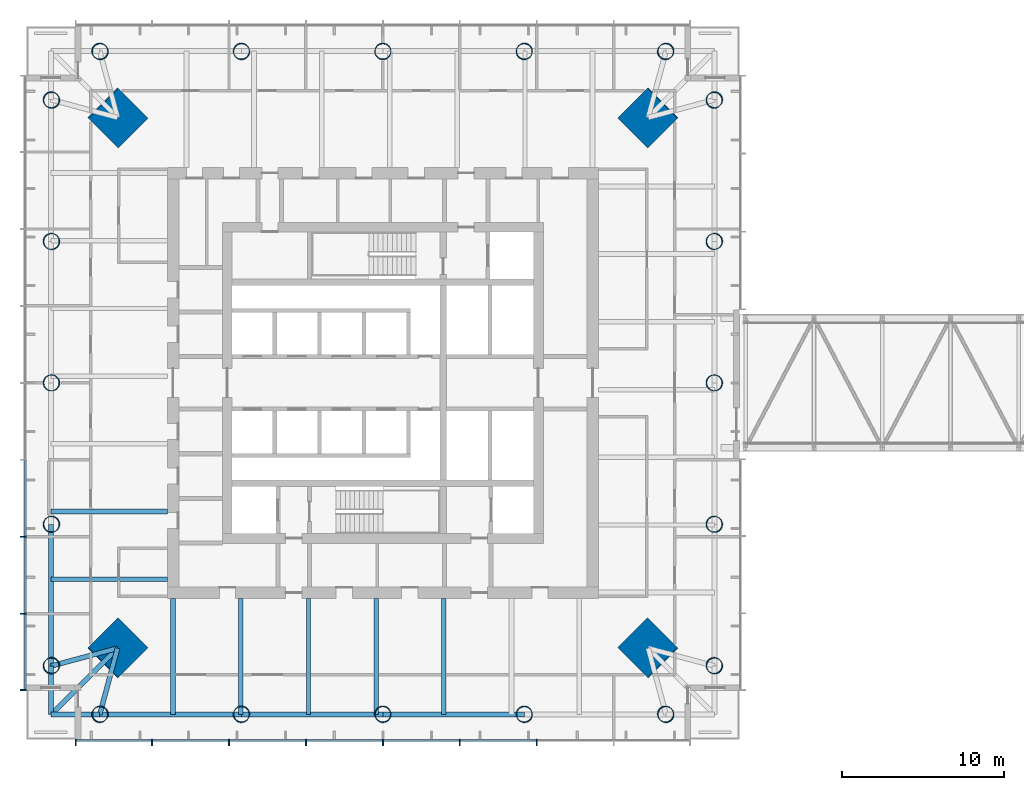
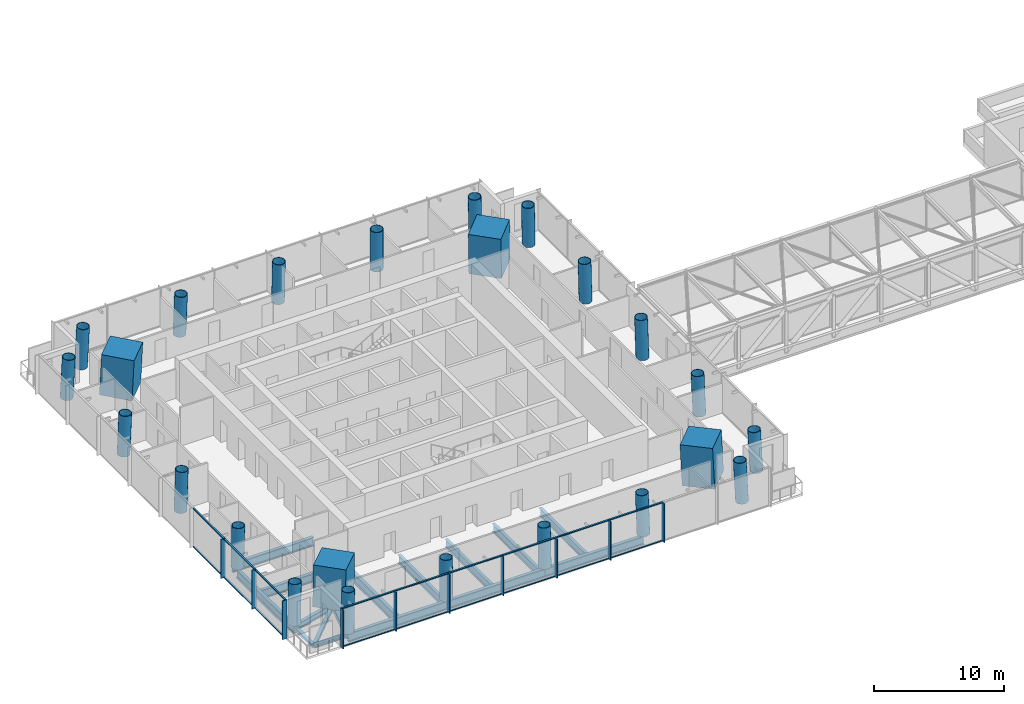
# One storey, part 1 of 19: 28 members, 24 columns, 16 beams, 2 elements without a shape of their own.
"""IFC4 building model written with IfcOpenShell, lengths in metres."""

from ifc_helpers import new_model, si_unit, direction, frame, origin, origin_2d, place, context, subcontext, project, spatial, rectangle, hollow_circle, i_section, extrude, material, material_profile, profile_set, type_object, element, aggregate, save


model = new_model("IFC4")

# Units and contexts
model_context = context("Model", 3, precision=1e-05, world=origin(), true_north=direction((0.0, 1.0)))
body_context = subcontext(model_context, "Body", "Model", "MODEL_VIEW")
ifc_project = project(units=[si_unit("LENGTHUNIT", "METRE"), si_unit("AREAUNIT", "SQUARE_METRE"), si_unit("VOLUMEUNIT", "CUBIC_METRE"), si_unit("PLANEANGLEUNIT", "RADIAN"), si_unit("MASSUNIT", "GRAM", prefix="KILO")], contexts=[model_context])

# Site, building, storey
site_placement = place(None, origin())
site = spatial("IfcSite", under=ifc_project, at=site_placement, CompositionType="ELEMENT")
building_placement = place(site_placement, origin())
building = spatial("IfcBuilding", under=site, at=building_placement, Name="Ostroluk Exchange", CompositionType="ELEMENT")
storey_placement = place(building_placement, frame((0.0, 0.0, 131.199951171875)))
storey = spatial("IfcBuildingStorey", under=building, at=storey_placement, Name="L33", CompositionType="ELEMENT", Elevation=131.199951171875)

# Columns
ifc_material_1 = material(Name="Concrete C50/60", Category="concrete")
ifc_material_profile_1 = material_profile(ifc_material_1, rectangle(XDim=2.60009765625, YDim=2.60009765625, at=origin_2d()), Name="RC 2600x2600")
ifc_profile_set_1 = profile_set([ifc_material_profile_1], Name="Concrete C50/60")
column_type_1 = type_object("IfcColumnType", Name="Mega column RC 2600x2600", PredefinedType="COLUMN", material=ifc_profile_set_1)
for number, where, z_axis, x_axis, name in (
    (1, (61.378662109375, 62.378662109375, 0.0), (-0.031962158256, -0.031962158256, 0.998977898093), (0.707106781187, -0.707106781187, 0.0), "T1 mega column NE"),
    (2, (28.621337890625, 62.378662109375, 0.0), (0.031962158256, -0.031962158256, 0.998977898093), (0.707106781187, 0.707106781187, 0.0), "T1 mega column NW"),
    (3, (28.621337890625, 29.621337890625, 0.0), (0.031962158256, 0.031962158256, 0.998977898093), (-0.707106781187, 0.707106781187, 0.0), "T1 mega column SW"),
    (4, (61.378662109375, 29.621337890625, 0.0), (-0.031962158256, 0.031962158256, 0.998977898093), (-0.707106781187, -0.707106781187, 0.0), "T1 mega column SE"),
):
    element("IfcColumn", number, at=place(storey_placement, frame(where, z_axis=z_axis, x_axis=x_axis)), inside=storey, type_object=column_type_1, Name=name, PredefinedType="COLUMN", context=body_context, shape_type="SweptSolid", body=[
        extrude(rectangle(XDim=2.60009765625, YDim=2.60009765625, at=origin_2d()), origin(), (0.0, 0.0, 1.0), 3.803955078125),
    ])
ifc_material_2 = material(Name="Steel S460", Category="steel")
ifc_material_profile_2 = material_profile(ifc_material_2, hollow_circle(Radius=0.508056640625, WallThickness=0.0400390625, at=origin_2d()), Name="CHS 1016x40")
ifc_profile_set_2 = profile_set([ifc_material_profile_2], Name="Steel S460")
column_type_2 = type_object("IfcColumnType", Name="Perimeter column CHS 1016x40", PredefinedType="COLUMN", material=ifc_profile_set_2)
for number, where, z_axis, x_axis, name in (
    (5, (65.478515625, 28.521484375, 0.0), (-0.031898107953, 0.031898107953, 0.998981992539), (-0.707106781187, -0.707106781187, 0.0), "T1 east face column E0"),
    (6, (65.478515625, 63.478515625, 0.0), (-0.031898107953, -0.031898107953, 0.998981992539), (0.707106781187, -0.707106781187, 0.0), "T1 east face column E1"),
):
    element("IfcColumn", number, at=place(storey_placement, frame(where, z_axis=z_axis, x_axis=x_axis)), inside=storey, type_object=column_type_2, Name=name, PredefinedType="COLUMN", context=body_context, shape_type="SweptSolid", body=[
        extrude(hollow_circle(Radius=0.508056640625, WallThickness=0.0400390625, at=origin_2d()), origin(), (0.0, 0.0, 1.0), 3.803955078125),
    ])
column_1_placement = place(storey_placement, frame((65.478515625, 37.2607421875, 0.0), z_axis=(-0.031910269556, 0.015987237665, 0.999362868496), x_axis=(-0.447933021895, -0.894067115991, 0.0)))
element("IfcColumn", 7, at=column_1_placement, inside=storey, type_object=column_type_2, Name="T1 east face column I1", PredefinedType="COLUMN", context=body_context, shape_type="SweptSolid", body=[
    extrude(hollow_circle(Radius=0.508056640625, WallThickness=0.0400390625, at=origin_2d()), origin(), (0.0, 0.0, 1.0), 3.802490234375),
])
column_2_placement = place(storey_placement, frame((65.478515625, 46.0, 0.0), z_axis=(-0.031914348339, 0.0, 0.999490607445), x_axis=(0.0, -1.0, 0.0)))
element("IfcColumn", 8, at=column_2_placement, inside=storey, type_object=column_type_2, Name="T1 east face column I2", PredefinedType="COLUMN", context=body_context, shape_type="SweptSolid", body=[
    extrude(hollow_circle(Radius=0.508056640625, WallThickness=0.0400390625, at=origin_2d()), origin(), (0.0, 0.0, 1.0), 3.802001953125),
])
column_3_placement = place(storey_placement, frame((65.478515625, 54.7392578125, 0.0), z_axis=(-0.031910269556, -0.015987237665, 0.999362868496), x_axis=(0.447933021895, -0.894067115991, 0.0)))
element("IfcColumn", 9, at=column_3_placement, inside=storey, type_object=column_type_2, Name="T1 east face column I3", PredefinedType="COLUMN", context=body_context, shape_type="SweptSolid", body=[
    extrude(hollow_circle(Radius=0.508056640625, WallThickness=0.0400390625, at=origin_2d()), origin(), (0.0, 0.0, 1.0), 3.802490234375),
])
for number, where, z_axis, x_axis, name in (
    (10, (62.478515625, 66.478515625, 0.0), (-0.031898107953, -0.031898107953, 0.998981992539), (0.707106781187, -0.707106781187, 0.0), "T1 north face column E0"),
    (11, (27.521484375, 66.478515625, 0.0), (0.031898107953, -0.031898107953, 0.998981992539), (0.707106781187, 0.707106781187, 0.0), "T1 north face column E1"),
):
    element("IfcColumn", number, at=place(storey_placement, frame(where, z_axis=z_axis, x_axis=x_axis)), inside=storey, type_object=column_type_2, Name=name, PredefinedType="COLUMN", context=body_context, shape_type="SweptSolid", body=[
        extrude(hollow_circle(Radius=0.508056640625, WallThickness=0.0400390625, at=origin_2d()), origin(), (0.0, 0.0, 1.0), 3.803955078125),
    ])
column_4_placement = place(storey_placement, frame((53.7392578125, 66.478515625, 0.0), z_axis=(-0.015987237665, -0.031910269556, 0.999362868496), x_axis=(0.894067115991, -0.447933021895, 0.0)))
element("IfcColumn", 12, at=column_4_placement, inside=storey, type_object=column_type_2, Name="T1 north face column I1", PredefinedType="COLUMN", context=body_context, shape_type="SweptSolid", body=[
    extrude(hollow_circle(Radius=0.508056640625, WallThickness=0.0400390625, at=origin_2d()), origin(), (0.0, 0.0, 1.0), 3.802490234375),
])
column_5_placement = place(storey_placement, frame((45.0, 66.478515625, 0.0), z_axis=(0.0, -0.031914348339, 0.999490607445), x_axis=(1.0, 0.0, 0.0)))
element("IfcColumn", 13, at=column_5_placement, inside=storey, type_object=column_type_2, Name="T1 north face column I2", PredefinedType="COLUMN", context=body_context, shape_type="SweptSolid", body=[
    extrude(hollow_circle(Radius=0.508056640625, WallThickness=0.0400390625, at=origin_2d()), origin(), (0.0, 0.0, 1.0), 3.802001953125),
])
column_6_placement = place(storey_placement, frame((36.2607421875, 66.478515625, 0.0), z_axis=(0.015987237665, -0.031910269556, 0.999362868496), x_axis=(0.894067115991, 0.447933021895, 0.0)))
element("IfcColumn", 14, at=column_6_placement, inside=storey, type_object=column_type_2, Name="T1 north face column I3", PredefinedType="COLUMN", context=body_context, shape_type="SweptSolid", body=[
    extrude(hollow_circle(Radius=0.508056640625, WallThickness=0.0400390625, at=origin_2d()), origin(), (0.0, 0.0, 1.0), 3.802490234375),
])
for number, where, z_axis, x_axis, name in (
    (15, (24.521484375, 63.478515625, 0.0), (0.031898107953, -0.031898107953, 0.998981992539), (0.707106781187, 0.707106781187, 0.0), "T1 west face column E0"),
    (16, (24.521484375, 28.521484375, 0.0), (0.031898107953, 0.031898107953, 0.998981992539), (-0.707106781187, 0.707106781187, 0.0), "T1 west face column E1"),
):
    element("IfcColumn", number, at=place(storey_placement, frame(where, z_axis=z_axis, x_axis=x_axis)), inside=storey, type_object=column_type_2, Name=name, PredefinedType="COLUMN", context=body_context, shape_type="SweptSolid", body=[
        extrude(hollow_circle(Radius=0.508056640625, WallThickness=0.0400390625, at=origin_2d()), origin(), (0.0, 0.0, 1.0), 3.803955078125),
    ])
column_7_placement = place(storey_placement, frame((24.521484375, 54.7392578125, 0.0), z_axis=(0.031910269556, -0.015987237665, 0.999362868496), x_axis=(0.447933021895, 0.894067115991, 0.0)))
element("IfcColumn", 17, at=column_7_placement, inside=storey, type_object=column_type_2, Name="T1 west face column I1", PredefinedType="COLUMN", context=body_context, shape_type="SweptSolid", body=[
    extrude(hollow_circle(Radius=0.508056640625, WallThickness=0.0400390625, at=origin_2d()), origin(), (0.0, 0.0, 1.0), 3.802490234375),
])
column_8_placement = place(storey_placement, frame((24.521484375, 46.0, 0.0), z_axis=(0.031914348339, 0.0, 0.999490607445), x_axis=(0.0, 1.0, 0.0)))
element("IfcColumn", 18, at=column_8_placement, inside=storey, type_object=column_type_2, Name="T1 west face column I2", PredefinedType="COLUMN", context=body_context, shape_type="SweptSolid", body=[
    extrude(hollow_circle(Radius=0.508056640625, WallThickness=0.0400390625, at=origin_2d()), origin(), (0.0, 0.0, 1.0), 3.802001953125),
])
column_9_placement = place(storey_placement, frame((24.521484375, 37.2607421875, 0.0), z_axis=(0.031910269556, 0.015987237665, 0.999362868496), x_axis=(-0.447933021895, 0.894067115991, 0.0)))
element("IfcColumn", 19, at=column_9_placement, inside=storey, type_object=column_type_2, Name="T1 west face column I3", PredefinedType="COLUMN", context=body_context, shape_type="SweptSolid", body=[
    extrude(hollow_circle(Radius=0.508056640625, WallThickness=0.0400390625, at=origin_2d()), origin(), (0.0, 0.0, 1.0), 3.802490234375),
])
for number, where, z_axis, x_axis, name in (
    (20, (27.521484375, 25.521484375, 0.0), (0.031898107953, 0.031898107953, 0.998981992539), (-0.707106781187, 0.707106781187, 0.0), "T1 south face column E0"),
    (21, (62.478515625, 25.521484375, 0.0), (-0.031898107953, 0.031898107953, 0.998981992539), (-0.707106781187, -0.707106781187, 0.0), "T1 south face column E1"),
):
    element("IfcColumn", number, at=place(storey_placement, frame(where, z_axis=z_axis, x_axis=x_axis)), inside=storey, type_object=column_type_2, Name=name, PredefinedType="COLUMN", context=body_context, shape_type="SweptSolid", body=[
        extrude(hollow_circle(Radius=0.508056640625, WallThickness=0.0400390625, at=origin_2d()), origin(), (0.0, 0.0, 1.0), 3.803955078125),
    ])
column_10_placement = place(storey_placement, frame((36.2607421875, 25.521484375, 0.0), z_axis=(0.015987237665, 0.031910269556, 0.999362868496), x_axis=(-0.894067115991, 0.447933021895, 0.0)))
element("IfcColumn", 22, at=column_10_placement, inside=storey, type_object=column_type_2, Name="T1 south face column I1", PredefinedType="COLUMN", context=body_context, shape_type="SweptSolid", body=[
    extrude(hollow_circle(Radius=0.508056640625, WallThickness=0.0400390625, at=origin_2d()), origin(), (0.0, 0.0, 1.0), 3.802490234375),
])
column_11_placement = place(storey_placement, frame((45.0, 25.521484375, 0.0), z_axis=(0.0, 0.031914348339, 0.999490607445), x_axis=(-1.0, 0.0, 0.0)))
element("IfcColumn", 23, at=column_11_placement, inside=storey, type_object=column_type_2, Name="T1 south face column I2", PredefinedType="COLUMN", context=body_context, shape_type="SweptSolid", body=[
    extrude(hollow_circle(Radius=0.508056640625, WallThickness=0.0400390625, at=origin_2d()), origin(), (0.0, 0.0, 1.0), 3.802001953125),
])
column_12_placement = place(storey_placement, frame((53.7392578125, 25.521484375, 0.0), z_axis=(-0.015987237665, 0.031910269556, 0.999362868496), x_axis=(-0.894067115991, -0.447933021895, 0.0)))
element("IfcColumn", 24, at=column_12_placement, inside=storey, type_object=column_type_2, Name="T1 south face column I3", PredefinedType="COLUMN", context=body_context, shape_type="SweptSolid", body=[
    extrude(hollow_circle(Radius=0.508056640625, WallThickness=0.0400390625, at=origin_2d()), origin(), (0.0, 0.0, 1.0), 3.802490234375),
])

# Beams
ifc_material_3 = material(Name="Steel S355", Category="steel")
ifc_material_profile_3 = material_profile(ifc_material_3, i_section(OverallWidth=0.300048828125, OverallDepth=0.300048828125, WebThickness=0.010986328125, FlangeThickness=0.01904296875, FilletRadius=0.027099609375, at=origin_2d()), Name="HEB 300")
ifc_profile_set_3 = profile_set([ifc_material_profile_3], Name="Steel S355")
beam_type_1 = type_object("IfcBeamType", Name="Balcony beam HEB 300", PredefinedType="BEAM", material=ifc_profile_set_3)
for number, where, z_axis, x_axis, name in (
    (25, (24.521484375, 28.521484375, -0.329833984375), (0.0, -1.0, 0.0), (1.0, 0.0, 0.0), "T1 west balcony beam a"),
    (26, (27.521484375, 25.521484375, -0.329833984375), (-1.0, 0.0, 0.0), (0.0, -1.0, 0.0), "T1 west balcony beam b"),
):
    element("IfcBeam", number, at=place(storey_placement, frame(where, z_axis=z_axis, x_axis=x_axis)), inside=storey, type_object=beam_type_1, Name=name, PredefinedType="BEAM", context=body_context, shape_type="SweptSolid", body=[
        extrude(i_section(OverallWidth=0.300048828125, OverallDepth=0.300048828125, WebThickness=0.010986328125, FlangeThickness=0.01904296875, FilletRadius=0.027099609375, at=origin_2d()), origin(), (0.0, 0.0, 1.0), 3.0),
    ])
beam_1_placement = place(storey_placement, frame((28.621337890625, 29.621337890625, -0.329833984375), z_axis=(-0.707106781187, -0.707106781187, 0.0), x_axis=(0.707106781187, -0.707106781187, 0.0)))
element("IfcBeam", 27, at=beam_1_placement, inside=storey, type_object=beam_type_1, Name="T1 west balcony beam c", PredefinedType="BEAM", context=body_context, shape_type="SweptSolid", body=[
    extrude(i_section(OverallWidth=0.300048828125, OverallDepth=0.300048828125, WebThickness=0.010986328125, FlangeThickness=0.01904296875, FilletRadius=0.027099609375, at=origin_2d()), origin(), (0.0, 0.0, 1.0), 5.798095703125),
])
ifc_material_4 = material(Name="Steel S355", Category="steel")
ifc_material_profile_4 = material_profile(ifc_material_4, i_section(OverallWidth=0.300048828125, OverallDepth=0.550048828125, WebThickness=0.014892578125, FlangeThickness=0.029052734375, FilletRadius=0.027099609375, at=origin_2d()), Name="HEB 550")
ifc_profile_set_4 = profile_set([ifc_material_profile_4], Name="Steel S355")
beam_type_2 = type_object("IfcBeamType", Name="Corner edge beam HEB 550", PredefinedType="SPANDREL", material=ifc_profile_set_4)
for number, where, z_axis, x_axis, name in (
    (28, (28.621337890625, 29.621337890625, -0.454833984375), (-0.965849156574, -0.259105011038, 0.0), (0.259105011038, -0.965849156574, 0.0), "T1 west corner edge beam a"),
    (29, (28.621337890625, 29.621337890625, -0.454833984375), (-0.259105011038, -0.965849156574, 0.0), (0.965849156574, -0.259105011038, 0.0), "T1 west corner edge beam b"),
):
    element("IfcBeam", number, at=place(storey_placement, frame(where, z_axis=z_axis, x_axis=x_axis)), inside=storey, type_object=beam_type_2, Name=name, PredefinedType="SPANDREL", context=body_context, shape_type="SweptSolid", body=[
        extrude(i_section(OverallWidth=0.300048828125, OverallDepth=0.550048828125, WebThickness=0.014892578125, FlangeThickness=0.029052734375, FilletRadius=0.027099609375, at=origin_2d()), origin(), (0.0, 0.0, 1.0), 4.244873046875),
    ])
ifc_material_5 = material(Name="Steel S355", Category="steel")
ifc_material_profile_5 = material_profile(ifc_material_5, i_section(OverallWidth=0.302978515625, OverallDepth=0.81396484375, WebThickness=0.02099609375, FlangeThickness=0.0400390625, FilletRadius=0.030029296875, at=origin_2d()), Name="HEM 800")
ifc_profile_set_5 = profile_set([ifc_material_profile_5], Name="Steel S355")
beam_type_3 = type_object("IfcBeamType", Name="Floor beam HEM 800", PredefinedType="BEAM", material=ifc_profile_set_5)
for number, where, z_axis, x_axis, name in (
    (30, (31.699951171875, 38.05712890625, -0.5869140625), (-1.0, 0.0, 0.0), (0.0, -1.0, 0.0), "T1 west floor beam 5"),
    (31, (31.699951171875, 33.878662109375, -0.5869140625), (-1.0, 0.0, 0.0), (0.0, -1.0, 0.0), "T1 west floor beam 6"),
):
    element("IfcBeam", number, at=place(storey_placement, frame(where, z_axis=z_axis, x_axis=x_axis)), inside=storey, type_object=beam_type_3, Name=name, PredefinedType="BEAM", context=body_context, shape_type="SweptSolid", body=[
        extrude(i_section(OverallWidth=0.302978515625, OverallDepth=0.81396484375, WebThickness=0.02099609375, FlangeThickness=0.0400390625, FilletRadius=0.030029296875, at=origin_2d()), origin(), (0.0, 0.0, 1.0), 7.178466796875),
    ])
ifc_material_6 = material(Name="Steel S355", Category="steel")
ifc_material_profile_6 = material_profile(ifc_material_6, i_section(OverallWidth=0.26708984375, OverallDepth=0.761962890625, WebThickness=0.014404296875, FlangeThickness=0.021484375, FilletRadius=0.01708984375, at=origin_2d()), Name="IPE 750x173")
ifc_profile_set_6 = profile_set([ifc_material_profile_6], Name="Steel S355")
beam_type_4 = type_object("IfcBeamType", Name="Floor beam IPE 750x173", PredefinedType="BEAM", material=ifc_profile_set_6)
for number, where, z_axis, x_axis, name in (
    (32, (36.228515625, 32.699951171875, -0.56103515625), (0.0, -1.0, 0.0), (1.0, 0.0, 0.0), "T1 south floor beam 1"),
    (33, (40.4072265625, 32.699951171875, -0.56103515625), (0.0, -1.0, 0.0), (1.0, 0.0, 0.0), "T1 south floor beam 2"),
    (34, (44.585693359375, 32.699951171875, -0.56103515625), (0.0, -1.0, 0.0), (1.0, 0.0, 0.0), "T1 south floor beam 3"),
    (35, (48.764404296875, 32.699951171875, -0.56103515625), (0.0, -1.0, 0.0), (1.0, 0.0, 0.0), "T1 south floor beam 4"),
):
    element("IfcBeam", number, at=place(storey_placement, frame(where, z_axis=z_axis, x_axis=x_axis)), inside=storey, type_object=beam_type_4, Name=name, PredefinedType="BEAM", context=body_context, shape_type="SweptSolid", body=[
        extrude(i_section(OverallWidth=0.26708984375, OverallDepth=0.761962890625, WebThickness=0.014404296875, FlangeThickness=0.021484375, FilletRadius=0.01708984375, at=origin_2d()), origin(), (0.0, 0.0, 1.0), 7.178466796875),
    ])
ifc_material_7 = material(Name="Steel S355", Category="steel")
ifc_material_profile_7 = material_profile(ifc_material_7, i_section(OverallWidth=0.300048828125, OverallDepth=0.89990234375, WebThickness=0.0185546875, FlangeThickness=0.034912109375, FilletRadius=0.030029296875, at=origin_2d()), Name="HEB 900")
ifc_profile_set_7 = profile_set([ifc_material_profile_7], Name="Steel S355")
beam_type_5 = type_object("IfcBeamType", Name="Girder HEB 900", PredefinedType="BEAM", material=ifc_profile_set_7)
beam_2_placement = place(storey_placement, frame((32.050048828125, 32.699951171875, -0.6298828125), z_axis=(0.0, -1.0, 0.0), x_axis=(1.0, 0.0, 0.0)))
element("IfcBeam", 36, at=beam_2_placement, inside=storey, type_object=beam_type_5, Name="T1 west girder", PredefinedType="BEAM", context=body_context, shape_type="SweptSolid", body=[
    extrude(i_section(OverallWidth=0.300048828125, OverallDepth=0.89990234375, WebThickness=0.0185546875, FlangeThickness=0.034912109375, FilletRadius=0.030029296875, at=origin_2d()), origin(), (0.0, 0.0, 1.0), 7.178466796875),
])
ifc_material_8 = material(Name="Steel S355", Category="steel")
ifc_material_profile_8 = material_profile(ifc_material_8, i_section(OverallWidth=0.300048828125, OverallDepth=0.800048828125, WebThickness=0.017578125, FlangeThickness=0.032958984375, FilletRadius=0.030029296875, at=origin_2d()), Name="HEB 800")
ifc_profile_set_8 = profile_set([ifc_material_profile_8], Name="Steel S355")
beam_type_6 = type_object("IfcBeamType", Name="Moment-connected edge beam HEB 800", PredefinedType="SPANDREL", material=ifc_profile_set_8)
for number, where, z_axis, x_axis, name in (
    (37, (24.521484375, 37.2607421875, -0.579833984375), (0.0, -1.0, 0.0), (1.0, 0.0, 0.0), "T1 west edge beam 4"),
    (38, (27.521484375, 25.521484375, -0.579833984375), (1.0, 0.0, 0.0), (0.0, 1.0, 0.0), "T1 south edge beam 1"),
    (39, (36.2607421875, 25.521484375, -0.579833984375), (1.0, 0.0, 0.0), (0.0, 1.0, 0.0), "T1 south edge beam 2"),
    (40, (45.0, 25.521484375, -0.579833984375), (1.0, 0.0, 0.0), (0.0, 1.0, 0.0), "T1 south edge beam 3"),
):
    element("IfcBeam", number, at=place(storey_placement, frame(where, z_axis=z_axis, x_axis=x_axis)), inside=storey, type_object=beam_type_6, Name=name, PredefinedType="SPANDREL", context=body_context, shape_type="SweptSolid", body=[
        extrude(i_section(OverallWidth=0.300048828125, OverallDepth=0.800048828125, WebThickness=0.017578125, FlangeThickness=0.032958984375, FilletRadius=0.030029296875, at=origin_2d()), origin(), (0.0, 0.0, 1.0), 8.7392578125),
    ])

# Curtain wall, members
ifc_material_9 = material(Name="Laminated clear glass", Category="glass")
curtain_wall_type = type_object("IfcCurtainWallType", Name="Office tower facade", PredefinedType="USERDEFINED", material=ifc_material_9)
curtain_wall_1_placement = place(storey_placement, origin())
curtain_wall_1 = element("IfcCurtainWall", 41, at=curtain_wall_1_placement, inside=storey, type_object=curtain_wall_type, Name="Office tower south facade L33", ObjectType="UNITISED CURTAIN WALL", PredefinedType="USERDEFINED")
ifc_material_10 = material(Name="Aluminium mullion", Category="aluminium")
ifc_material_profile_9 = material_profile(ifc_material_10, rectangle(XDim=0.14990234375, YDim=0.080078125, at=origin_2d()), Name="Sill transom 80 x 150")
ifc_profile_set_9 = profile_set([ifc_material_profile_9], Name="Aluminium mullion")
member_type_1 = type_object("IfcMemberType", Name="Sill transom 80 x 150", PredefinedType="USERDEFINED", material=ifc_profile_set_9)
member_1_placement = place(storey_placement, frame((26.080078125, 23.925048828125, 0.0400390625), z_axis=(1.0, 0.0, 0.0), x_axis=(0.0, 1.0, 0.0)))
member_1 = element("IfcMember", 42, at=member_1_placement, type_object=member_type_1, Name="CW-O1 transom 1.1", ObjectType="TRANSOM", PredefinedType="USERDEFINED", context=body_context, shape_type="SweptSolid", body=[
    extrude(rectangle(XDim=0.14990234375, YDim=0.080078125, at=origin_2d()), origin(), (0.0, 0.0, 1.0), 4.6298828125),
])
member_2_placement = place(storey_placement, frame((26.080078125, 23.925048828125, 3.610107421875), z_axis=(1.0, 0.0, 0.0), x_axis=(0.0, 1.0, 0.0)))
member_2 = element("IfcMember", 43, at=member_2_placement, type_object=member_type_1, Name="CW-O1 transom 1.2", ObjectType="TRANSOM", PredefinedType="USERDEFINED", context=body_context, shape_type="SweptSolid", body=[
    extrude(rectangle(XDim=0.14990234375, YDim=0.080078125, at=origin_2d()), origin(), (0.0, 0.0, 1.0), 4.6298828125),
])
member_3_placement = place(storey_placement, frame((30.7900390625, 23.925048828125, 0.0400390625), z_axis=(1.0, 0.0, 0.0), x_axis=(0.0, 1.0, 0.0)))
member_3 = element("IfcMember", 44, at=member_3_placement, type_object=member_type_1, Name="CW-O1 transom 2.1", ObjectType="TRANSOM", PredefinedType="USERDEFINED", context=body_context, shape_type="SweptSolid", body=[
    extrude(rectangle(XDim=0.14990234375, YDim=0.080078125, at=origin_2d()), origin(), (0.0, 0.0, 1.0), 4.669921875),
])
member_4_placement = place(storey_placement, frame((30.7900390625, 23.925048828125, 3.610107421875), z_axis=(1.0, 0.0, 0.0), x_axis=(0.0, 1.0, 0.0)))
member_4 = element("IfcMember", 45, at=member_4_placement, type_object=member_type_1, Name="CW-O1 transom 2.2", ObjectType="TRANSOM", PredefinedType="USERDEFINED", context=body_context, shape_type="SweptSolid", body=[
    extrude(rectangle(XDim=0.14990234375, YDim=0.080078125, at=origin_2d()), origin(), (0.0, 0.0, 1.0), 4.669921875),
])
member_5_placement = place(storey_placement, frame((35.5400390625, 23.925048828125, 0.0400390625), z_axis=(1.0, 0.0, 0.0), x_axis=(0.0, 1.0, 0.0)))
member_5 = element("IfcMember", 46, at=member_5_placement, type_object=member_type_1, Name="CW-O1 transom 3.1", ObjectType="TRANSOM", PredefinedType="USERDEFINED", context=body_context, shape_type="SweptSolid", body=[
    extrude(rectangle(XDim=0.14990234375, YDim=0.080078125, at=origin_2d()), origin(), (0.0, 0.0, 1.0), 4.669921875),
])
member_6_placement = place(storey_placement, frame((35.5400390625, 23.925048828125, 3.610107421875), z_axis=(1.0, 0.0, 0.0), x_axis=(0.0, 1.0, 0.0)))
member_6 = element("IfcMember", 47, at=member_6_placement, type_object=member_type_1, Name="CW-O1 transom 3.2", ObjectType="TRANSOM", PredefinedType="USERDEFINED", context=body_context, shape_type="SweptSolid", body=[
    extrude(rectangle(XDim=0.14990234375, YDim=0.080078125, at=origin_2d()), origin(), (0.0, 0.0, 1.0), 4.669921875),
])
member_7_placement = place(storey_placement, frame((40.2900390625, 23.925048828125, 0.0400390625), z_axis=(1.0, 0.0, 0.0), x_axis=(0.0, 1.0, 0.0)))
member_7 = element("IfcMember", 48, at=member_7_placement, type_object=member_type_1, Name="CW-O1 transom 4.1", ObjectType="TRANSOM", PredefinedType="USERDEFINED", context=body_context, shape_type="SweptSolid", body=[
    extrude(rectangle(XDim=0.14990234375, YDim=0.080078125, at=origin_2d()), origin(), (0.0, 0.0, 1.0), 4.669921875),
])
member_8_placement = place(storey_placement, frame((40.2900390625, 23.925048828125, 3.610107421875), z_axis=(1.0, 0.0, 0.0), x_axis=(0.0, 1.0, 0.0)))
member_8 = element("IfcMember", 49, at=member_8_placement, type_object=member_type_1, Name="CW-O1 transom 4.2", ObjectType="TRANSOM", PredefinedType="USERDEFINED", context=body_context, shape_type="SweptSolid", body=[
    extrude(rectangle(XDim=0.14990234375, YDim=0.080078125, at=origin_2d()), origin(), (0.0, 0.0, 1.0), 4.669921875),
])
member_9_placement = place(storey_placement, frame((45.0400390625, 23.925048828125, 0.0400390625), z_axis=(1.0, 0.0, 0.0), x_axis=(0.0, 1.0, 0.0)))
member_9 = element("IfcMember", 50, at=member_9_placement, type_object=member_type_1, Name="CW-O1 transom 5.1", ObjectType="TRANSOM", PredefinedType="USERDEFINED", context=body_context, shape_type="SweptSolid", body=[
    extrude(rectangle(XDim=0.14990234375, YDim=0.080078125, at=origin_2d()), origin(), (0.0, 0.0, 1.0), 4.669921875),
])
member_10_placement = place(storey_placement, frame((45.0400390625, 23.925048828125, 3.610107421875), z_axis=(1.0, 0.0, 0.0), x_axis=(0.0, 1.0, 0.0)))
member_10 = element("IfcMember", 51, at=member_10_placement, type_object=member_type_1, Name="CW-O1 transom 5.2", ObjectType="TRANSOM", PredefinedType="USERDEFINED", context=body_context, shape_type="SweptSolid", body=[
    extrude(rectangle(XDim=0.14990234375, YDim=0.080078125, at=origin_2d()), origin(), (0.0, 0.0, 1.0), 4.669921875),
])
member_11_placement = place(storey_placement, frame((49.7900390625, 23.925048828125, 0.0400390625), z_axis=(1.0, 0.0, 0.0), x_axis=(0.0, 1.0, 0.0)))
member_11 = element("IfcMember", 52, at=member_11_placement, type_object=member_type_1, Name="CW-O1 transom 6.1", ObjectType="TRANSOM", PredefinedType="USERDEFINED", context=body_context, shape_type="SweptSolid", body=[
    extrude(rectangle(XDim=0.14990234375, YDim=0.080078125, at=origin_2d()), origin(), (0.0, 0.0, 1.0), 4.669921875),
])
member_12_placement = place(storey_placement, frame((49.7900390625, 23.925048828125, 3.610107421875), z_axis=(1.0, 0.0, 0.0), x_axis=(0.0, 1.0, 0.0)))
member_12 = element("IfcMember", 53, at=member_12_placement, type_object=member_type_1, Name="CW-O1 transom 6.2", ObjectType="TRANSOM", PredefinedType="USERDEFINED", context=body_context, shape_type="SweptSolid", body=[
    extrude(rectangle(XDim=0.14990234375, YDim=0.080078125, at=origin_2d()), origin(), (0.0, 0.0, 1.0), 4.669921875),
])

curtain_wall_2_placement = place(storey_placement, origin())
curtain_wall_2 = element("IfcCurtainWall", 54, at=curtain_wall_2_placement, inside=storey, type_object=curtain_wall_type, Name="Office tower west facade L33", ObjectType="UNITISED CURTAIN WALL", PredefinedType="USERDEFINED")
member_13_placement = place(storey_placement, frame((22.925048828125, 41.2099609375, 0.0400390625), z_axis=(0.0, -1.0, 0.0), x_axis=(1.0, 0.0, 0.0)))
member_13 = element("IfcMember", 55, at=member_13_placement, type_object=member_type_1, Name="CW-O1 transom 6.1", ObjectType="TRANSOM", PredefinedType="USERDEFINED", context=body_context, shape_type="SweptSolid", body=[
    extrude(rectangle(XDim=0.14990234375, YDim=0.080078125, at=origin_2d()), origin(), (0.0, 0.0, 1.0), 4.669921875),
])
member_14_placement = place(storey_placement, frame((22.925048828125, 41.2099609375, 3.610107421875), z_axis=(0.0, -1.0, 0.0), x_axis=(1.0, 0.0, 0.0)))
member_14 = element("IfcMember", 56, at=member_14_placement, type_object=member_type_1, Name="CW-O1 transom 6.2", ObjectType="TRANSOM", PredefinedType="USERDEFINED", context=body_context, shape_type="SweptSolid", body=[
    extrude(rectangle(XDim=0.14990234375, YDim=0.080078125, at=origin_2d()), origin(), (0.0, 0.0, 1.0), 4.669921875),
])
member_15_placement = place(storey_placement, frame((22.925048828125, 36.4599609375, 0.0400390625), z_axis=(0.0, -1.0, 0.0), x_axis=(1.0, 0.0, 0.0)))
member_15 = element("IfcMember", 57, at=member_15_placement, type_object=member_type_1, Name="CW-O1 transom 7.1", ObjectType="TRANSOM", PredefinedType="USERDEFINED", context=body_context, shape_type="SweptSolid", body=[
    extrude(rectangle(XDim=0.14990234375, YDim=0.080078125, at=origin_2d()), origin(), (0.0, 0.0, 1.0), 4.669921875),
])
member_16_placement = place(storey_placement, frame((22.925048828125, 36.4599609375, 3.610107421875), z_axis=(0.0, -1.0, 0.0), x_axis=(1.0, 0.0, 0.0)))
member_16 = element("IfcMember", 58, at=member_16_placement, type_object=member_type_1, Name="CW-O1 transom 7.2", ObjectType="TRANSOM", PredefinedType="USERDEFINED", context=body_context, shape_type="SweptSolid", body=[
    extrude(rectangle(XDim=0.14990234375, YDim=0.080078125, at=origin_2d()), origin(), (0.0, 0.0, 1.0), 4.669921875),
])
member_17_placement = place(storey_placement, frame((22.925048828125, 31.7099609375, 0.0400390625), z_axis=(0.0, -1.0, 0.0), x_axis=(1.0, 0.0, 0.0)))
member_17 = element("IfcMember", 59, at=member_17_placement, type_object=member_type_1, Name="CW-O1 transom 8.1", ObjectType="TRANSOM", PredefinedType="USERDEFINED", context=body_context, shape_type="SweptSolid", body=[
    extrude(rectangle(XDim=0.14990234375, YDim=0.080078125, at=origin_2d()), origin(), (0.0, 0.0, 1.0), 4.6298828125),
])
member_18_placement = place(storey_placement, frame((22.925048828125, 31.7099609375, 3.610107421875), z_axis=(0.0, -1.0, 0.0), x_axis=(1.0, 0.0, 0.0)))
member_18 = element("IfcMember", 60, at=member_18_placement, type_object=member_type_1, Name="CW-O1 transom 8.2", ObjectType="TRANSOM", PredefinedType="USERDEFINED", context=body_context, shape_type="SweptSolid", body=[
    extrude(rectangle(XDim=0.14990234375, YDim=0.080078125, at=origin_2d()), origin(), (0.0, 0.0, 1.0), 4.6298828125),
])

# Member
ifc_material_11 = material(Name="Aluminium mullion with limestone facing", Category="masonry")
ifc_material_profile_10 = material_profile(ifc_material_11, rectangle(XDim=0.39990234375, YDim=0.080078125, at=origin_2d()), Name="Tracery mullion 80 x 400")
ifc_profile_set_10 = profile_set([ifc_material_profile_10], Name="Aluminium mullion with limestone facing")
member_type_2 = type_object("IfcMemberType", Name="Tracery mullion 80 x 400", PredefinedType="MULLION", material=ifc_profile_set_10)
member_19_placement = place(storey_placement, frame((26.0400390625, 23.800048828125, 0.0), z_axis=(0.0, 0.0, 1.0), x_axis=(0.0, 1.0, 0.0)))
member_19 = element("IfcMember", 61, at=member_19_placement, type_object=member_type_2, Name="CW-O1 mullion 1", PredefinedType="MULLION", context=body_context, shape_type="SweptSolid", body=[
    extrude(rectangle(XDim=0.39990234375, YDim=0.080078125, at=origin_2d()), origin(), (0.0, 0.0, 1.0), 3.650146484375),
])

member_20_placement = place(storey_placement, frame((30.75, 23.800048828125, 0.0), z_axis=(0.0, 0.0, 1.0), x_axis=(0.0, 1.0, 0.0)))
member_20 = element("IfcMember", 62, at=member_20_placement, type_object=member_type_2, Name="CW-O1 mullion 2", PredefinedType="MULLION", context=body_context, shape_type="SweptSolid", body=[
    extrude(rectangle(XDim=0.39990234375, YDim=0.080078125, at=origin_2d()), origin(), (0.0, 0.0, 1.0), 3.650146484375),
])

member_21_placement = place(storey_placement, frame((35.5, 23.800048828125, 0.0), z_axis=(0.0, 0.0, 1.0), x_axis=(0.0, 1.0, 0.0)))
member_21 = element("IfcMember", 63, at=member_21_placement, type_object=member_type_2, Name="CW-O1 mullion 3", PredefinedType="MULLION", context=body_context, shape_type="SweptSolid", body=[
    extrude(rectangle(XDim=0.39990234375, YDim=0.080078125, at=origin_2d()), origin(), (0.0, 0.0, 1.0), 3.650146484375),
])

member_22_placement = place(storey_placement, frame((40.25, 23.800048828125, 0.0), z_axis=(0.0, 0.0, 1.0), x_axis=(0.0, 1.0, 0.0)))
member_22 = element("IfcMember", 64, at=member_22_placement, type_object=member_type_2, Name="CW-O1 mullion 4", PredefinedType="MULLION", context=body_context, shape_type="SweptSolid", body=[
    extrude(rectangle(XDim=0.39990234375, YDim=0.080078125, at=origin_2d()), origin(), (0.0, 0.0, 1.0), 3.650146484375),
])

member_23_placement = place(storey_placement, frame((45.0, 23.800048828125, 0.0), z_axis=(0.0, 0.0, 1.0), x_axis=(0.0, 1.0, 0.0)))
member_23 = element("IfcMember", 65, at=member_23_placement, type_object=member_type_2, Name="CW-O1 mullion 5", PredefinedType="MULLION", context=body_context, shape_type="SweptSolid", body=[
    extrude(rectangle(XDim=0.39990234375, YDim=0.080078125, at=origin_2d()), origin(), (0.0, 0.0, 1.0), 3.650146484375),
])

member_24_placement = place(storey_placement, frame((49.75, 23.800048828125, 0.0), z_axis=(0.0, 0.0, 1.0), x_axis=(0.0, 1.0, 0.0)))
member_24 = element("IfcMember", 66, at=member_24_placement, type_object=member_type_2, Name="CW-O1 mullion 6", PredefinedType="MULLION", context=body_context, shape_type="SweptSolid", body=[
    extrude(rectangle(XDim=0.39990234375, YDim=0.080078125, at=origin_2d()), origin(), (0.0, 0.0, 1.0), 3.650146484375),
])

member_25_placement = place(storey_placement, frame((54.5, 23.800048828125, 0.0), z_axis=(0.0, 0.0, 1.0), x_axis=(0.0, 1.0, 0.0)))
member_25 = element("IfcMember", 67, at=member_25_placement, type_object=member_type_2, Name="CW-O1 mullion 7", PredefinedType="MULLION", context=body_context, shape_type="SweptSolid", body=[
    extrude(rectangle(XDim=0.39990234375, YDim=0.080078125, at=origin_2d()), origin(), (0.0, 0.0, 1.0), 3.650146484375),
])

aggregate(curtain_wall_1, [member_19, member_20, member_21, member_22, member_23, member_24, member_25, member_1, member_2, member_3, member_4, member_5, member_6, member_7, member_8, member_9, member_10, member_11, member_12])

member_26_placement = place(storey_placement, frame((22.800048828125, 36.5, 0.0), z_axis=(0.0, 0.0, 1.0), x_axis=(1.0, 0.0, 0.0)))
member_26 = element("IfcMember", 68, at=member_26_placement, type_object=member_type_2, Name="CW-O1 mullion 7", PredefinedType="MULLION", context=body_context, shape_type="SweptSolid", body=[
    extrude(rectangle(XDim=0.39990234375, YDim=0.080078125, at=origin_2d()), origin(), (0.0, 0.0, 1.0), 3.650146484375),
])

member_27_placement = place(storey_placement, frame((22.800048828125, 31.75, 0.0), z_axis=(0.0, 0.0, 1.0), x_axis=(1.0, 0.0, 0.0)))
member_27 = element("IfcMember", 69, at=member_27_placement, type_object=member_type_2, Name="CW-O1 mullion 8", PredefinedType="MULLION", context=body_context, shape_type="SweptSolid", body=[
    extrude(rectangle(XDim=0.39990234375, YDim=0.080078125, at=origin_2d()), origin(), (0.0, 0.0, 1.0), 3.650146484375),
])

member_28_placement = place(storey_placement, frame((22.800048828125, 27.0400390625, 0.0), z_axis=(0.0, 0.0, 1.0), x_axis=(1.0, 0.0, 0.0)))
member_28 = element("IfcMember", 70, at=member_28_placement, type_object=member_type_2, Name="CW-O1 mullion 9", PredefinedType="MULLION", context=body_context, shape_type="SweptSolid", body=[
    extrude(rectangle(XDim=0.39990234375, YDim=0.080078125, at=origin_2d()), origin(), (0.0, 0.0, 1.0), 3.650146484375),
])

aggregate(curtain_wall_2, [member_26, member_27, member_28, member_13, member_14, member_15, member_16, member_17, member_18])

save(model, "model.ifc")
